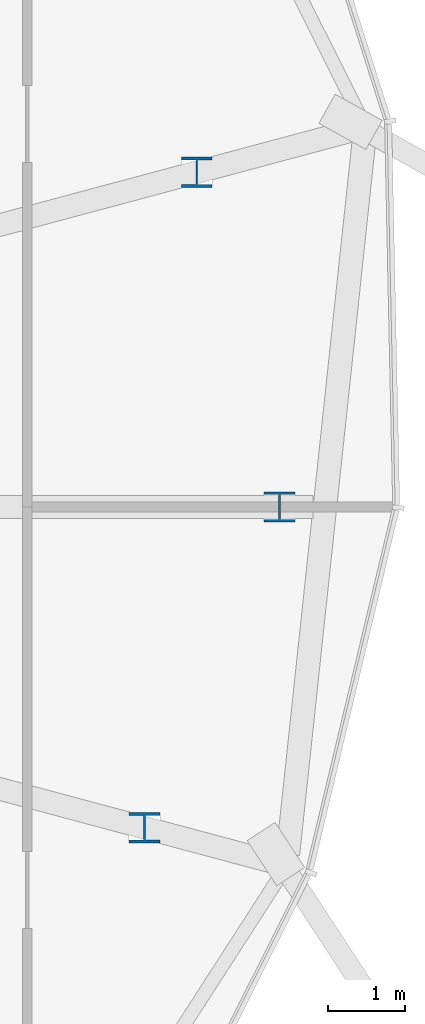
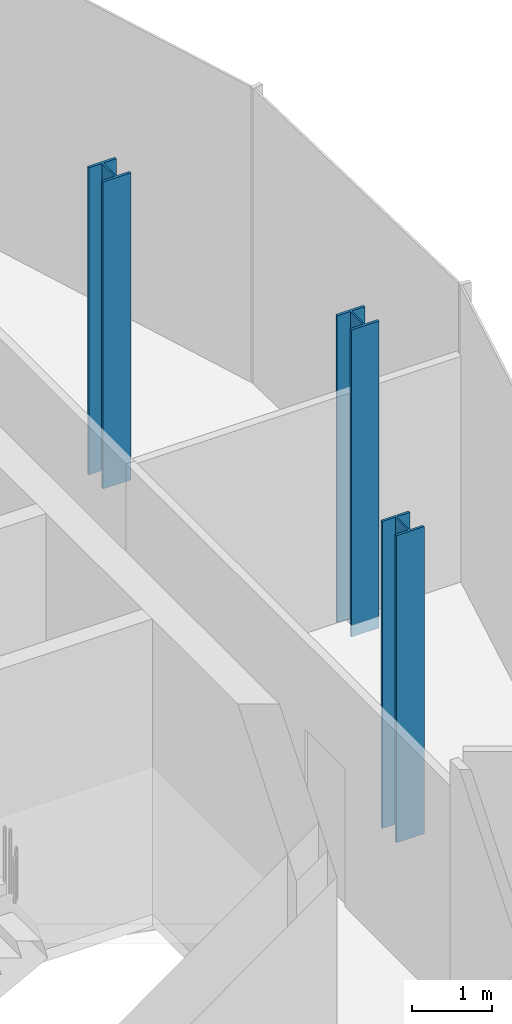
# One storey, part 2 of 31: 3 columns.
"""IFC4 building model written with IfcOpenShell, lengths in metres."""

from ifc_helpers import new_model, si_unit, direction, frame, origin, origin_2d, place, context, subcontext, project, spatial, i_section, extrude, material, material_profile, profile_set, type_object, element, save


model = new_model("IFC4")

# Units and contexts
model_context = context("Model", 3, precision=1e-05, world=origin(), true_north=direction((0.0, 1.0)))
body_context = subcontext(model_context, "Body", "Model", "MODEL_VIEW")
ifc_project = project(units=[si_unit("LENGTHUNIT", "METRE"), si_unit("AREAUNIT", "SQUARE_METRE"), si_unit("VOLUMEUNIT", "CUBIC_METRE"), si_unit("PLANEANGLEUNIT", "RADIAN"), si_unit("MASSUNIT", "GRAM", prefix="KILO")], contexts=[model_context])

# Site, building, storey
site_placement = place(None, origin())
site = spatial("IfcSite", under=ifc_project, at=site_placement, CompositionType="ELEMENT")
building_placement = place(site_placement, origin())
building = spatial("IfcBuilding", under=site, at=building_placement, Name="Rimbun Link Towers", CompositionType="ELEMENT")
storey_placement = place(building_placement, frame((0.0, 0.0, 263.10009765625)))
storey = spatial("IfcBuildingStorey", under=building, at=storey_placement, Name="L64", CompositionType="ELEMENT", Elevation=263.10009765625)

# Columns
ifc_material = material(Name="Steel S355J2", Category="steel")
ifc_material_profile = material_profile(ifc_material, i_section(OverallWidth=0.39892578125, OverallDepth=0.3935546875, WebThickness=0.022705078125, FlangeThickness=0.03662109375, at=origin_2d()), Name="UC 356x406x287")
ifc_profile_set = profile_set([ifc_material_profile], Name="Steel S355J2")
column_type = type_object("IfcColumnType", Name="UC 356x406x287", PredefinedType="COLUMN", material=ifc_profile_set)
for number, where, z_axis, x_axis, name in (
    (1, (47.270751953125, -4.15869140625, -0.18017578125), (0.0, 0.0, 1.0), (1.0, 0.0, 0.0), "Crease post T2 L64 20"),
    (2, (49.0224609375, 0.0, -0.18017578125), (0.0, 0.0, 1.0), (1.0, 0.0, 0.0), "Crease post T2 L64 21"),
    (3, (47.947998046875, 4.340087890625, -0.18017578125), (0.0, 0.0, 1.0), (1.0, 0.0, 0.0), "Crease post T2 L64 22"),
):
    element("IfcColumn", number, at=place(storey_placement, frame(where, z_axis=z_axis, x_axis=x_axis)), inside=storey, type_object=column_type, Name=name, PredefinedType="COLUMN", context=body_context, shape_type="SweptSolid", body=[
        extrude(i_section(OverallWidth=0.39892578125, OverallDepth=0.3935546875, WebThickness=0.022705078125, FlangeThickness=0.03662109375, at=origin_2d()), origin(), (0.0, 0.0, 1.0), 4.68017578125),
    ])

save(model, "model.ifc")
